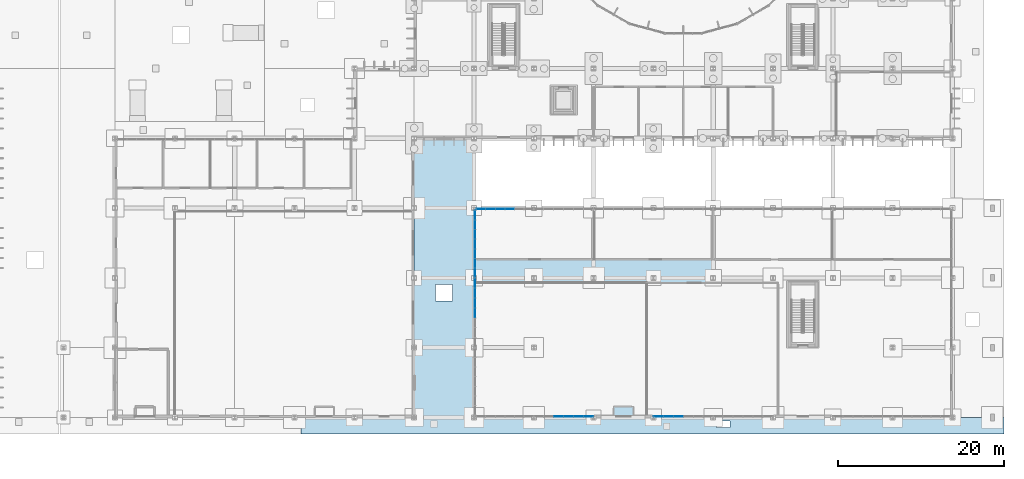
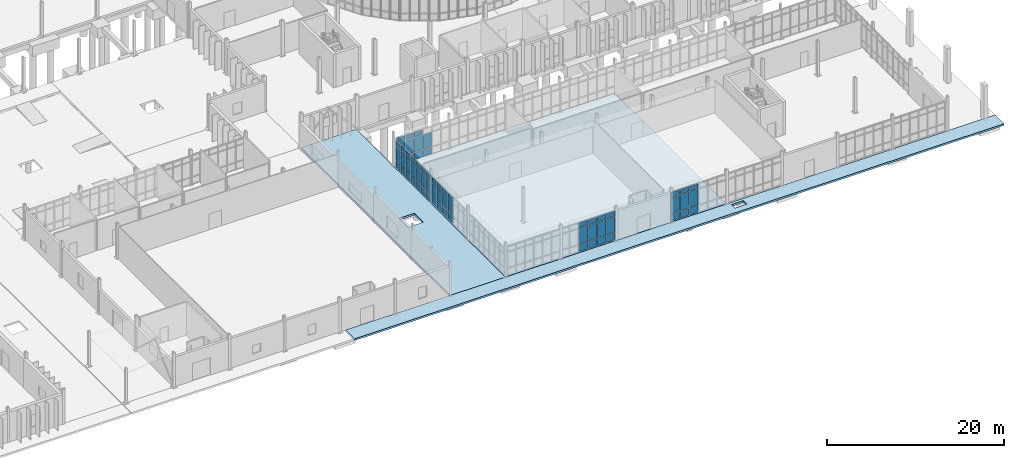
# One storey, part 55 of 118: 65 plates, 3 slabs, 5 elements without a shape of their own.
"""IFC4 building model written with IfcOpenShell, lengths in metres."""

from ifc_helpers import new_model, si_unit, direction, frame, origin, origin_2d, place, context, subcontext, project, spatial, polyline, rectangle, outline, extrude, material, layer, layer_set, type_object, element, aggregate, save


model = new_model("IFC4")

# Units and contexts
model_context = context("Model", 3, precision=1e-05, world=origin(), true_north=direction((0.0, 1.0)))
body_context = subcontext(model_context, "Body", "Model", "MODEL_VIEW")
ifc_project = project(units=[si_unit("LENGTHUNIT", "METRE"), si_unit("AREAUNIT", "SQUARE_METRE"), si_unit("VOLUMEUNIT", "CUBIC_METRE"), si_unit("PLANEANGLEUNIT", "RADIAN"), si_unit("MASSUNIT", "GRAM", prefix="KILO")], contexts=[model_context])

# Site, building, storey
site_placement = place(None, origin())
site = spatial("IfcSite", under=ifc_project, at=site_placement, CompositionType="ELEMENT")
building_placement = place(site_placement, origin())
building = spatial("IfcBuilding", under=site, at=building_placement, Name="Qelthora Terrace Specialist Clinic", CompositionType="ELEMENT")
storey_placement = place(building_placement, origin())
storey = spatial("IfcBuildingStorey", under=building, at=storey_placement, Name="L00", CompositionType="ELEMENT", Elevation=0.0)

# Curtain wall, plates
ifc_material_1 = material(Name="Aluminium anodized bronze", Category="aluminium")
curtain_wall_type_1 = type_object("IfcCurtainWallType", Name="CW-CONS-X", PredefinedType="NOTDEFINED", material=ifc_material_1)
curtain_wall_1_placement = place(storey_placement, origin())
curtain_wall_1 = element("IfcCurtainWall", 1, at=curtain_wall_1_placement, inside=storey, type_object=curtain_wall_type_1, Name="Curtain wall CW-L00-206", PredefinedType="NOTDEFINED")
ifc_material_2 = material(Name="Low-E triple-silver insulating glass", Category="glass")
ifc_layer_1 = layer(ifc_material_2, 0.035888671875)
ifc_layer_set_1 = layer_set([ifc_layer_1], Name="Low-E triple-silver insulating glass")
plate_type = type_object("IfcPlateType", Name="CWP-IGU-36", PredefinedType="CURTAIN_PANEL", material=ifc_layer_set_1)
plate_1_placement = place(storey_placement, frame((111.0, 0.1201171875, 0.0849609375), z_axis=(0.0, 0.0, 1.0), x_axis=(1.0, 0.0, 0.0)))
plate_1 = element("IfcPlate", 2, at=plate_1_placement, type_object=plate_type, Name="CW-L00-206 glazed panel 7", PredefinedType="CURTAIN_PANEL", context=body_context, shape_type="SweptSolid", body=[
    extrude(rectangle(XDim=1.10009765625, YDim=0.035888671875, at=origin_2d()), origin(), (0.0, 0.0, 1.0), 0.919921875),
])
plate_2_placement = place(storey_placement, frame((111.0, 0.1201171875, 1.094970703125), z_axis=(0.0, 0.0, 1.0), x_axis=(1.0, 0.0, 0.0)))
plate_2 = element("IfcPlate", 3, at=plate_2_placement, type_object=plate_type, Name="CW-L00-206 glazed panel 8", PredefinedType="CURTAIN_PANEL", context=body_context, shape_type="SweptSolid", body=[
    extrude(rectangle(XDim=1.10009765625, YDim=0.035888671875, at=origin_2d()), origin(), (0.0, 0.0, 1.0), 2.14208984375),
])
plate_3_placement = place(storey_placement, frame((111.0, 0.1201171875, 3.3271484375), z_axis=(0.0, 0.0, 1.0), x_axis=(1.0, 0.0, 0.0)))
plate_3 = element("IfcPlate", 4, at=plate_3_placement, type_object=plate_type, Name="CW-L00-206 glazed panel 9", PredefinedType="CURTAIN_PANEL", context=body_context, shape_type="SweptSolid", body=[
    extrude(rectangle(XDim=1.10009765625, YDim=0.035888671875, at=origin_2d()), origin(), (0.0, 0.0, 1.0), 0.669921875),
])
plate_4_placement = place(storey_placement, frame((112.199951171875, 0.1201171875, 0.0849609375), z_axis=(0.0, 0.0, 1.0), x_axis=(1.0, 0.0, 0.0)))
plate_4 = element("IfcPlate", 5, at=plate_4_placement, type_object=plate_type, Name="CW-L00-206 glazed panel 10", PredefinedType="CURTAIN_PANEL", context=body_context, shape_type="SweptSolid", body=[
    extrude(rectangle(XDim=1.10009765625, YDim=0.035888671875, at=origin_2d()), origin(), (0.0, 0.0, 1.0), 0.919921875),
])
plate_5_placement = place(storey_placement, frame((112.199951171875, 0.1201171875, 1.094970703125), z_axis=(0.0, 0.0, 1.0), x_axis=(1.0, 0.0, 0.0)))
plate_5 = element("IfcPlate", 6, at=plate_5_placement, type_object=plate_type, Name="CW-L00-206 glazed panel 11", PredefinedType="CURTAIN_PANEL", context=body_context, shape_type="SweptSolid", body=[
    extrude(rectangle(XDim=1.10009765625, YDim=0.035888671875, at=origin_2d()), origin(), (0.0, 0.0, 1.0), 2.14208984375),
])
plate_6_placement = place(storey_placement, frame((112.199951171875, 0.1201171875, 3.3271484375), z_axis=(0.0, 0.0, 1.0), x_axis=(1.0, 0.0, 0.0)))
plate_6 = element("IfcPlate", 7, at=plate_6_placement, type_object=plate_type, Name="CW-L00-206 glazed panel 12", PredefinedType="CURTAIN_PANEL", context=body_context, shape_type="SweptSolid", body=[
    extrude(rectangle(XDim=1.10009765625, YDim=0.035888671875, at=origin_2d()), origin(), (0.0, 0.0, 1.0), 0.669921875),
])
plate_7_placement = place(storey_placement, frame((113.39990234375, 0.1201171875, 0.0849609375), z_axis=(0.0, 0.0, 1.0), x_axis=(1.0, 0.0, 0.0)))
plate_7 = element("IfcPlate", 8, at=plate_7_placement, type_object=plate_type, Name="CW-L00-206 glazed panel 13", PredefinedType="CURTAIN_PANEL", context=body_context, shape_type="SweptSolid", body=[
    extrude(rectangle(XDim=1.10009765625, YDim=0.035888671875, at=origin_2d()), origin(), (0.0, 0.0, 1.0), 0.919921875),
])
plate_8_placement = place(storey_placement, frame((113.39990234375, 0.1201171875, 1.094970703125), z_axis=(0.0, 0.0, 1.0), x_axis=(1.0, 0.0, 0.0)))
plate_8 = element("IfcPlate", 9, at=plate_8_placement, type_object=plate_type, Name="CW-L00-206 glazed panel 14", PredefinedType="CURTAIN_PANEL", context=body_context, shape_type="SweptSolid", body=[
    extrude(rectangle(XDim=1.10009765625, YDim=0.035888671875, at=origin_2d()), origin(), (0.0, 0.0, 1.0), 2.14208984375),
])
plate_9_placement = place(storey_placement, frame((113.39990234375, 0.1201171875, 3.3271484375), z_axis=(0.0, 0.0, 1.0), x_axis=(1.0, 0.0, 0.0)))
plate_9 = element("IfcPlate", 10, at=plate_9_placement, type_object=plate_type, Name="CW-L00-206 glazed panel 15", PredefinedType="CURTAIN_PANEL", context=body_context, shape_type="SweptSolid", body=[
    extrude(rectangle(XDim=1.10009765625, YDim=0.035888671875, at=origin_2d()), origin(), (0.0, 0.0, 1.0), 0.669921875),
])
plate_10_placement = place(storey_placement, frame((114.60009765625, 0.1201171875, 0.0849609375), z_axis=(0.0, 0.0, 1.0), x_axis=(1.0, 0.0, 0.0)))
plate_10 = element("IfcPlate", 11, at=plate_10_placement, type_object=plate_type, Name="CW-L00-206 glazed panel 16", PredefinedType="CURTAIN_PANEL", context=body_context, shape_type="SweptSolid", body=[
    extrude(rectangle(XDim=1.10009765625, YDim=0.035888671875, at=origin_2d()), origin(), (0.0, 0.0, 1.0), 0.919921875),
])
plate_11_placement = place(storey_placement, frame((114.60009765625, 0.1201171875, 1.094970703125), z_axis=(0.0, 0.0, 1.0), x_axis=(1.0, 0.0, 0.0)))
plate_11 = element("IfcPlate", 12, at=plate_11_placement, type_object=plate_type, Name="CW-L00-206 glazed panel 17", PredefinedType="CURTAIN_PANEL", context=body_context, shape_type="SweptSolid", body=[
    extrude(rectangle(XDim=1.10009765625, YDim=0.035888671875, at=origin_2d()), origin(), (0.0, 0.0, 1.0), 2.14208984375),
])
plate_12_placement = place(storey_placement, frame((114.60009765625, 0.1201171875, 3.3271484375), z_axis=(0.0, 0.0, 1.0), x_axis=(1.0, 0.0, 0.0)))
plate_12 = element("IfcPlate", 13, at=plate_12_placement, type_object=plate_type, Name="CW-L00-206 glazed panel 18", PredefinedType="CURTAIN_PANEL", context=body_context, shape_type="SweptSolid", body=[
    extrude(rectangle(XDim=1.10009765625, YDim=0.035888671875, at=origin_2d()), origin(), (0.0, 0.0, 1.0), 0.669921875),
])
aggregate(curtain_wall_1, [plate_1, plate_2, plate_3, plate_4, plate_5, plate_6, plate_7, plate_8, plate_9, plate_10, plate_11, plate_12])

curtain_wall_2_placement = place(storey_placement, origin())
curtain_wall_2 = element("IfcCurtainWall", 14, at=curtain_wall_2_placement, inside=storey, type_object=curtain_wall_type_1, Name="Curtain wall CW-L00-207", PredefinedType="NOTDEFINED")
plate_13_placement = place(storey_placement, frame((123.0, 0.1201171875, 0.0849609375), z_axis=(0.0, 0.0, 1.0), x_axis=(1.0, 0.0, 0.0)))
plate_13 = element("IfcPlate", 15, at=plate_13_placement, type_object=plate_type, Name="CW-L00-207 glazed panel 1", PredefinedType="CURTAIN_PANEL", context=body_context, shape_type="SweptSolid", body=[
    extrude(rectangle(XDim=1.10009765625, YDim=0.035888671875, at=origin_2d()), origin(), (0.0, 0.0, 1.0), 0.919921875),
])
plate_14_placement = place(storey_placement, frame((123.0, 0.1201171875, 1.094970703125), z_axis=(0.0, 0.0, 1.0), x_axis=(1.0, 0.0, 0.0)))
plate_14 = element("IfcPlate", 16, at=plate_14_placement, type_object=plate_type, Name="CW-L00-207 glazed panel 2", PredefinedType="CURTAIN_PANEL", context=body_context, shape_type="SweptSolid", body=[
    extrude(rectangle(XDim=1.10009765625, YDim=0.035888671875, at=origin_2d()), origin(), (0.0, 0.0, 1.0), 2.14208984375),
])
plate_15_placement = place(storey_placement, frame((123.0, 0.1201171875, 3.3271484375), z_axis=(0.0, 0.0, 1.0), x_axis=(1.0, 0.0, 0.0)))
plate_15 = element("IfcPlate", 17, at=plate_15_placement, type_object=plate_type, Name="CW-L00-207 glazed panel 3", PredefinedType="CURTAIN_PANEL", context=body_context, shape_type="SweptSolid", body=[
    extrude(rectangle(XDim=1.10009765625, YDim=0.035888671875, at=origin_2d()), origin(), (0.0, 0.0, 1.0), 0.669921875),
])
plate_16_placement = place(storey_placement, frame((124.199951171875, 0.1201171875, 0.0849609375), z_axis=(0.0, 0.0, 1.0), x_axis=(1.0, 0.0, 0.0)))
plate_16 = element("IfcPlate", 18, at=plate_16_placement, type_object=plate_type, Name="CW-L00-207 glazed panel 4", PredefinedType="CURTAIN_PANEL", context=body_context, shape_type="SweptSolid", body=[
    extrude(rectangle(XDim=1.10009765625, YDim=0.035888671875, at=origin_2d()), origin(), (0.0, 0.0, 1.0), 0.919921875),
])
plate_17_placement = place(storey_placement, frame((124.199951171875, 0.1201171875, 1.094970703125), z_axis=(0.0, 0.0, 1.0), x_axis=(1.0, 0.0, 0.0)))
plate_17 = element("IfcPlate", 19, at=plate_17_placement, type_object=plate_type, Name="CW-L00-207 glazed panel 5", PredefinedType="CURTAIN_PANEL", context=body_context, shape_type="SweptSolid", body=[
    extrude(rectangle(XDim=1.10009765625, YDim=0.035888671875, at=origin_2d()), origin(), (0.0, 0.0, 1.0), 2.14208984375),
])
plate_18_placement = place(storey_placement, frame((124.199951171875, 0.1201171875, 3.3271484375), z_axis=(0.0, 0.0, 1.0), x_axis=(1.0, 0.0, 0.0)))
plate_18 = element("IfcPlate", 20, at=plate_18_placement, type_object=plate_type, Name="CW-L00-207 glazed panel 6", PredefinedType="CURTAIN_PANEL", context=body_context, shape_type="SweptSolid", body=[
    extrude(rectangle(XDim=1.10009765625, YDim=0.035888671875, at=origin_2d()), origin(), (0.0, 0.0, 1.0), 0.669921875),
])
plate_19_placement = place(storey_placement, frame((125.39990234375, 0.1201171875, 0.0849609375), z_axis=(0.0, 0.0, 1.0), x_axis=(1.0, 0.0, 0.0)))
plate_19 = element("IfcPlate", 21, at=plate_19_placement, type_object=plate_type, Name="CW-L00-207 glazed panel 7", PredefinedType="CURTAIN_PANEL", context=body_context, shape_type="SweptSolid", body=[
    extrude(rectangle(XDim=1.10009765625, YDim=0.035888671875, at=origin_2d()), origin(), (0.0, 0.0, 1.0), 0.919921875),
])
plate_20_placement = place(storey_placement, frame((125.39990234375, 0.1201171875, 1.094970703125), z_axis=(0.0, 0.0, 1.0), x_axis=(1.0, 0.0, 0.0)))
plate_20 = element("IfcPlate", 22, at=plate_20_placement, type_object=plate_type, Name="CW-L00-207 glazed panel 8", PredefinedType="CURTAIN_PANEL", context=body_context, shape_type="SweptSolid", body=[
    extrude(rectangle(XDim=1.10009765625, YDim=0.035888671875, at=origin_2d()), origin(), (0.0, 0.0, 1.0), 2.14208984375),
])
plate_21_placement = place(storey_placement, frame((125.39990234375, 0.1201171875, 3.3271484375), z_axis=(0.0, 0.0, 1.0), x_axis=(1.0, 0.0, 0.0)))
plate_21 = element("IfcPlate", 23, at=plate_21_placement, type_object=plate_type, Name="CW-L00-207 glazed panel 9", PredefinedType="CURTAIN_PANEL", context=body_context, shape_type="SweptSolid", body=[
    extrude(rectangle(XDim=1.10009765625, YDim=0.035888671875, at=origin_2d()), origin(), (0.0, 0.0, 1.0), 0.669921875),
])
aggregate(curtain_wall_2, [plate_13, plate_14, plate_15, plate_16, plate_17, plate_18, plate_19, plate_20, plate_21])

curtain_wall_type_2 = type_object("IfcCurtainWallType", Name="CW-CONS-Y", PredefinedType="NOTDEFINED", material=ifc_material_1)
curtain_wall_3_placement = place(storey_placement, origin())
curtain_wall_3 = element("IfcCurtainWall", 24, at=curtain_wall_3_placement, inside=storey, type_object=curtain_wall_type_2, Name="Curtain wall CW-L00-212", PredefinedType="NOTDEFINED")
plate_22_placement = place(storey_placement, frame((100.919921875, 12.60009765625, 0.0849609375), z_axis=(0.0, 0.0, 1.0), x_axis=(0.0, 1.0, 0.0)))
plate_22 = element("IfcPlate", 25, at=plate_22_placement, type_object=plate_type, Name="CW-L00-212 glazed panel 10", PredefinedType="CURTAIN_PANEL", context=body_context, shape_type="SweptSolid", body=[
    extrude(rectangle(XDim=1.10009765625, YDim=0.035888671875, at=origin_2d()), origin(), (0.0, 0.0, 1.0), 0.919921875),
])
plate_23_placement = place(storey_placement, frame((100.919921875, 12.60009765625, 1.094970703125), z_axis=(0.0, 0.0, 1.0), x_axis=(0.0, 1.0, 0.0)))
plate_23 = element("IfcPlate", 26, at=plate_23_placement, type_object=plate_type, Name="CW-L00-212 glazed panel 11", PredefinedType="CURTAIN_PANEL", context=body_context, shape_type="SweptSolid", body=[
    extrude(rectangle(XDim=1.10009765625, YDim=0.035888671875, at=origin_2d()), origin(), (0.0, 0.0, 1.0), 1.7509765625),
])
plate_24_placement = place(storey_placement, frame((100.919921875, 12.60009765625, 2.93603515625), z_axis=(0.0, 0.0, 1.0), x_axis=(0.0, 1.0, 0.0)))
plate_24 = element("IfcPlate", 27, at=plate_24_placement, type_object=plate_type, Name="CW-L00-212 glazed panel 12", PredefinedType="CURTAIN_PANEL", context=body_context, shape_type="SweptSolid", body=[
    extrude(rectangle(XDim=1.10009765625, YDim=0.035888671875, at=origin_2d()), origin(), (0.0, 0.0, 1.0), 0.669921875),
])
plate_25_placement = place(storey_placement, frame((100.919921875, 13.800048828125, 0.0849609375), z_axis=(0.0, 0.0, 1.0), x_axis=(0.0, 1.0, 0.0)))
plate_25 = element("IfcPlate", 28, at=plate_25_placement, type_object=plate_type, Name="CW-L00-212 glazed panel 13", PredefinedType="CURTAIN_PANEL", context=body_context, shape_type="SweptSolid", body=[
    extrude(rectangle(XDim=1.10009765625, YDim=0.035888671875, at=origin_2d()), origin(), (0.0, 0.0, 1.0), 0.919921875),
])
plate_26_placement = place(storey_placement, frame((100.919921875, 13.800048828125, 1.094970703125), z_axis=(0.0, 0.0, 1.0), x_axis=(0.0, 1.0, 0.0)))
plate_26 = element("IfcPlate", 29, at=plate_26_placement, type_object=plate_type, Name="CW-L00-212 glazed panel 14", PredefinedType="CURTAIN_PANEL", context=body_context, shape_type="SweptSolid", body=[
    extrude(rectangle(XDim=1.10009765625, YDim=0.035888671875, at=origin_2d()), origin(), (0.0, 0.0, 1.0), 1.7509765625),
])
plate_27_placement = place(storey_placement, frame((100.919921875, 13.800048828125, 2.93603515625), z_axis=(0.0, 0.0, 1.0), x_axis=(0.0, 1.0, 0.0)))
plate_27 = element("IfcPlate", 30, at=plate_27_placement, type_object=plate_type, Name="CW-L00-212 glazed panel 15", PredefinedType="CURTAIN_PANEL", context=body_context, shape_type="SweptSolid", body=[
    extrude(rectangle(XDim=1.10009765625, YDim=0.035888671875, at=origin_2d()), origin(), (0.0, 0.0, 1.0), 0.669921875),
])
plate_28_placement = place(storey_placement, frame((100.919921875, 15.0, 0.0849609375), z_axis=(0.0, 0.0, 1.0), x_axis=(0.0, 1.0, 0.0)))
plate_28 = element("IfcPlate", 31, at=plate_28_placement, type_object=plate_type, Name="CW-L00-212 glazed panel 16", PredefinedType="CURTAIN_PANEL", context=body_context, shape_type="SweptSolid", body=[
    extrude(rectangle(XDim=1.10009765625, YDim=0.035888671875, at=origin_2d()), origin(), (0.0, 0.0, 1.0), 0.919921875),
])
plate_29_placement = place(storey_placement, frame((100.919921875, 15.0, 1.094970703125), z_axis=(0.0, 0.0, 1.0), x_axis=(0.0, 1.0, 0.0)))
plate_29 = element("IfcPlate", 32, at=plate_29_placement, type_object=plate_type, Name="CW-L00-212 glazed panel 17", PredefinedType="CURTAIN_PANEL", context=body_context, shape_type="SweptSolid", body=[
    extrude(rectangle(XDim=1.10009765625, YDim=0.035888671875, at=origin_2d()), origin(), (0.0, 0.0, 1.0), 1.7509765625),
])
plate_30_placement = place(storey_placement, frame((100.919921875, 15.0, 2.93603515625), z_axis=(0.0, 0.0, 1.0), x_axis=(0.0, 1.0, 0.0)))
plate_30 = element("IfcPlate", 33, at=plate_30_placement, type_object=plate_type, Name="CW-L00-212 glazed panel 18", PredefinedType="CURTAIN_PANEL", context=body_context, shape_type="SweptSolid", body=[
    extrude(rectangle(XDim=1.10009765625, YDim=0.035888671875, at=origin_2d()), origin(), (0.0, 0.0, 1.0), 0.669921875),
])
plate_31_placement = place(storey_placement, frame((100.919921875, 16.199951171875, 0.0849609375), z_axis=(0.0, 0.0, 1.0), x_axis=(0.0, 1.0, 0.0)))
plate_31 = element("IfcPlate", 34, at=plate_31_placement, type_object=plate_type, Name="CW-L00-212 glazed panel 19", PredefinedType="CURTAIN_PANEL", context=body_context, shape_type="SweptSolid", body=[
    extrude(rectangle(XDim=1.10009765625, YDim=0.035888671875, at=origin_2d()), origin(), (0.0, 0.0, 1.0), 0.919921875),
])
plate_32_placement = place(storey_placement, frame((100.919921875, 16.199951171875, 1.094970703125), z_axis=(0.0, 0.0, 1.0), x_axis=(0.0, 1.0, 0.0)))
plate_32 = element("IfcPlate", 35, at=plate_32_placement, type_object=plate_type, Name="CW-L00-212 glazed panel 20", PredefinedType="CURTAIN_PANEL", context=body_context, shape_type="SweptSolid", body=[
    extrude(rectangle(XDim=1.10009765625, YDim=0.035888671875, at=origin_2d()), origin(), (0.0, 0.0, 1.0), 1.7509765625),
])
plate_33_placement = place(storey_placement, frame((100.919921875, 16.199951171875, 2.93603515625), z_axis=(0.0, 0.0, 1.0), x_axis=(0.0, 1.0, 0.0)))
plate_33 = element("IfcPlate", 36, at=plate_33_placement, type_object=plate_type, Name="CW-L00-212 glazed panel 21", PredefinedType="CURTAIN_PANEL", context=body_context, shape_type="SweptSolid", body=[
    extrude(rectangle(XDim=1.10009765625, YDim=0.035888671875, at=origin_2d()), origin(), (0.0, 0.0, 1.0), 0.669921875),
])
aggregate(curtain_wall_3, [plate_22, plate_23, plate_24, plate_25, plate_26, plate_27, plate_28, plate_29, plate_30, plate_31, plate_32, plate_33])

curtain_wall_4_placement = place(storey_placement, origin())
curtain_wall_4 = element("IfcCurtainWall", 37, at=curtain_wall_4_placement, inside=storey, type_object=curtain_wall_type_2, Name="Curtain wall CW-L00-213", PredefinedType="NOTDEFINED")
plate_34_placement = place(storey_placement, frame((100.919921875, 17.38134765625, 0.0849609375), z_axis=(0.0, 0.0, 1.0), x_axis=(0.0, 1.0, 0.0)))
plate_34 = element("IfcPlate", 38, at=plate_34_placement, type_object=plate_type, Name="CW-L00-213 glazed panel 1", PredefinedType="CURTAIN_PANEL", context=body_context, shape_type="SweptSolid", body=[
    extrude(rectangle(XDim=1.062744140625, YDim=0.035888671875, at=origin_2d()), origin(), (0.0, 0.0, 1.0), 0.919921875),
])
plate_35_placement = place(storey_placement, frame((100.919921875, 17.38134765625, 1.094970703125), z_axis=(0.0, 0.0, 1.0), x_axis=(0.0, 1.0, 0.0)))
plate_35 = element("IfcPlate", 39, at=plate_35_placement, type_object=plate_type, Name="CW-L00-213 glazed panel 2", PredefinedType="CURTAIN_PANEL", context=body_context, shape_type="SweptSolid", body=[
    extrude(rectangle(XDim=1.062744140625, YDim=0.035888671875, at=origin_2d()), origin(), (0.0, 0.0, 1.0), 1.83203125),
])
plate_36_placement = place(storey_placement, frame((100.919921875, 17.38134765625, 3.01708984375), z_axis=(0.0, 0.0, 1.0), x_axis=(0.0, 1.0, 0.0)))
plate_36 = element("IfcPlate", 40, at=plate_36_placement, type_object=plate_type, Name="CW-L00-213 glazed panel 3", PredefinedType="CURTAIN_PANEL", context=body_context, shape_type="SweptSolid", body=[
    extrude(rectangle(XDim=1.062744140625, YDim=0.035888671875, at=origin_2d()), origin(), (0.0, 0.0, 1.0), 0.669921875),
])
plate_37_placement = place(storey_placement, frame((100.919921875, 18.544189453125, 0.0849609375), z_axis=(0.0, 0.0, 1.0), x_axis=(0.0, 1.0, 0.0)))
plate_37 = element("IfcPlate", 41, at=plate_37_placement, type_object=plate_type, Name="CW-L00-213 glazed panel 4", PredefinedType="CURTAIN_PANEL", context=body_context, shape_type="SweptSolid", body=[
    extrude(rectangle(XDim=1.062744140625, YDim=0.035888671875, at=origin_2d()), origin(), (0.0, 0.0, 1.0), 0.919921875),
])
plate_38_placement = place(storey_placement, frame((100.919921875, 18.544189453125, 1.094970703125), z_axis=(0.0, 0.0, 1.0), x_axis=(0.0, 1.0, 0.0)))
plate_38 = element("IfcPlate", 42, at=plate_38_placement, type_object=plate_type, Name="CW-L00-213 glazed panel 5", PredefinedType="CURTAIN_PANEL", context=body_context, shape_type="SweptSolid", body=[
    extrude(rectangle(XDim=1.062744140625, YDim=0.035888671875, at=origin_2d()), origin(), (0.0, 0.0, 1.0), 1.83203125),
])
plate_39_placement = place(storey_placement, frame((100.919921875, 18.544189453125, 3.01708984375), z_axis=(0.0, 0.0, 1.0), x_axis=(0.0, 1.0, 0.0)))
plate_39 = element("IfcPlate", 43, at=plate_39_placement, type_object=plate_type, Name="CW-L00-213 glazed panel 6", PredefinedType="CURTAIN_PANEL", context=body_context, shape_type="SweptSolid", body=[
    extrude(rectangle(XDim=1.062744140625, YDim=0.035888671875, at=origin_2d()), origin(), (0.0, 0.0, 1.0), 0.669921875),
])
plate_40_placement = place(storey_placement, frame((100.919921875, 19.70703125, 0.0849609375), z_axis=(0.0, 0.0, 1.0), x_axis=(0.0, 1.0, 0.0)))
plate_40 = element("IfcPlate", 44, at=plate_40_placement, type_object=plate_type, Name="CW-L00-213 glazed panel 7", PredefinedType="CURTAIN_PANEL", context=body_context, shape_type="SweptSolid", body=[
    extrude(rectangle(XDim=1.062744140625, YDim=0.035888671875, at=origin_2d()), origin(), (0.0, 0.0, 1.0), 0.919921875),
])
plate_41_placement = place(storey_placement, frame((100.919921875, 19.70703125, 1.094970703125), z_axis=(0.0, 0.0, 1.0), x_axis=(0.0, 1.0, 0.0)))
plate_41 = element("IfcPlate", 45, at=plate_41_placement, type_object=plate_type, Name="CW-L00-213 glazed panel 8", PredefinedType="CURTAIN_PANEL", context=body_context, shape_type="SweptSolid", body=[
    extrude(rectangle(XDim=1.062744140625, YDim=0.035888671875, at=origin_2d()), origin(), (0.0, 0.0, 1.0), 1.83203125),
])
plate_42_placement = place(storey_placement, frame((100.919921875, 19.70703125, 3.01708984375), z_axis=(0.0, 0.0, 1.0), x_axis=(0.0, 1.0, 0.0)))
plate_42 = element("IfcPlate", 46, at=plate_42_placement, type_object=plate_type, Name="CW-L00-213 glazed panel 9", PredefinedType="CURTAIN_PANEL", context=body_context, shape_type="SweptSolid", body=[
    extrude(rectangle(XDim=1.062744140625, YDim=0.035888671875, at=origin_2d()), origin(), (0.0, 0.0, 1.0), 0.669921875),
])
plate_43_placement = place(storey_placement, frame((100.919921875, 20.8701171875, 0.0849609375), z_axis=(0.0, 0.0, 1.0), x_axis=(0.0, 1.0, 0.0)))
plate_43 = element("IfcPlate", 47, at=plate_43_placement, type_object=plate_type, Name="CW-L00-213 glazed panel 10", PredefinedType="CURTAIN_PANEL", context=body_context, shape_type="SweptSolid", body=[
    extrude(rectangle(XDim=1.062744140625, YDim=0.035888671875, at=origin_2d()), origin(), (0.0, 0.0, 1.0), 0.919921875),
])
plate_44_placement = place(storey_placement, frame((100.919921875, 20.8701171875, 1.094970703125), z_axis=(0.0, 0.0, 1.0), x_axis=(0.0, 1.0, 0.0)))
plate_44 = element("IfcPlate", 48, at=plate_44_placement, type_object=plate_type, Name="CW-L00-213 glazed panel 11", PredefinedType="CURTAIN_PANEL", context=body_context, shape_type="SweptSolid", body=[
    extrude(rectangle(XDim=1.062744140625, YDim=0.035888671875, at=origin_2d()), origin(), (0.0, 0.0, 1.0), 1.83203125),
])
plate_45_placement = place(storey_placement, frame((100.919921875, 20.8701171875, 3.01708984375), z_axis=(0.0, 0.0, 1.0), x_axis=(0.0, 1.0, 0.0)))
plate_45 = element("IfcPlate", 49, at=plate_45_placement, type_object=plate_type, Name="CW-L00-213 glazed panel 12", PredefinedType="CURTAIN_PANEL", context=body_context, shape_type="SweptSolid", body=[
    extrude(rectangle(XDim=1.062744140625, YDim=0.035888671875, at=origin_2d()), origin(), (0.0, 0.0, 1.0), 0.669921875),
])
plate_46_placement = place(storey_placement, frame((100.919921875, 22.032958984375, 0.0849609375), z_axis=(0.0, 0.0, 1.0), x_axis=(0.0, 1.0, 0.0)))
plate_46 = element("IfcPlate", 50, at=plate_46_placement, type_object=plate_type, Name="CW-L00-213 glazed panel 13", PredefinedType="CURTAIN_PANEL", context=body_context, shape_type="SweptSolid", body=[
    extrude(rectangle(XDim=1.062744140625, YDim=0.035888671875, at=origin_2d()), origin(), (0.0, 0.0, 1.0), 0.919921875),
])
plate_47_placement = place(storey_placement, frame((100.919921875, 22.032958984375, 1.094970703125), z_axis=(0.0, 0.0, 1.0), x_axis=(0.0, 1.0, 0.0)))
plate_47 = element("IfcPlate", 51, at=plate_47_placement, type_object=plate_type, Name="CW-L00-213 glazed panel 14", PredefinedType="CURTAIN_PANEL", context=body_context, shape_type="SweptSolid", body=[
    extrude(rectangle(XDim=1.062744140625, YDim=0.035888671875, at=origin_2d()), origin(), (0.0, 0.0, 1.0), 1.83203125),
])
plate_48_placement = place(storey_placement, frame((100.919921875, 22.032958984375, 3.01708984375), z_axis=(0.0, 0.0, 1.0), x_axis=(0.0, 1.0, 0.0)))
plate_48 = element("IfcPlate", 52, at=plate_48_placement, type_object=plate_type, Name="CW-L00-213 glazed panel 15", PredefinedType="CURTAIN_PANEL", context=body_context, shape_type="SweptSolid", body=[
    extrude(rectangle(XDim=1.062744140625, YDim=0.035888671875, at=origin_2d()), origin(), (0.0, 0.0, 1.0), 0.669921875),
])
plate_49_placement = place(storey_placement, frame((100.919921875, 23.19580078125, 0.0849609375), z_axis=(0.0, 0.0, 1.0), x_axis=(0.0, 1.0, 0.0)))
plate_49 = element("IfcPlate", 53, at=plate_49_placement, type_object=plate_type, Name="CW-L00-213 glazed panel 16", PredefinedType="CURTAIN_PANEL", context=body_context, shape_type="SweptSolid", body=[
    extrude(rectangle(XDim=1.062744140625, YDim=0.035888671875, at=origin_2d()), origin(), (0.0, 0.0, 1.0), 0.919921875),
])
plate_50_placement = place(storey_placement, frame((100.919921875, 23.19580078125, 1.094970703125), z_axis=(0.0, 0.0, 1.0), x_axis=(0.0, 1.0, 0.0)))
plate_50 = element("IfcPlate", 54, at=plate_50_placement, type_object=plate_type, Name="CW-L00-213 glazed panel 17", PredefinedType="CURTAIN_PANEL", context=body_context, shape_type="SweptSolid", body=[
    extrude(rectangle(XDim=1.062744140625, YDim=0.035888671875, at=origin_2d()), origin(), (0.0, 0.0, 1.0), 1.83203125),
])
plate_51_placement = place(storey_placement, frame((100.919921875, 23.19580078125, 3.01708984375), z_axis=(0.0, 0.0, 1.0), x_axis=(0.0, 1.0, 0.0)))
plate_51 = element("IfcPlate", 55, at=plate_51_placement, type_object=plate_type, Name="CW-L00-213 glazed panel 18", PredefinedType="CURTAIN_PANEL", context=body_context, shape_type="SweptSolid", body=[
    extrude(rectangle(XDim=1.062744140625, YDim=0.035888671875, at=origin_2d()), origin(), (0.0, 0.0, 1.0), 0.669921875),
])
plate_52_placement = place(storey_placement, frame((100.919921875, 24.358642578125, 0.0849609375), z_axis=(0.0, 0.0, 1.0), x_axis=(0.0, 1.0, 0.0)))
plate_52 = element("IfcPlate", 56, at=plate_52_placement, type_object=plate_type, Name="CW-L00-213 glazed panel 19", PredefinedType="CURTAIN_PANEL", context=body_context, shape_type="SweptSolid", body=[
    extrude(rectangle(XDim=1.062744140625, YDim=0.035888671875, at=origin_2d()), origin(), (0.0, 0.0, 1.0), 0.919921875),
])
plate_53_placement = place(storey_placement, frame((100.919921875, 24.358642578125, 1.094970703125), z_axis=(0.0, 0.0, 1.0), x_axis=(0.0, 1.0, 0.0)))
plate_53 = element("IfcPlate", 57, at=plate_53_placement, type_object=plate_type, Name="CW-L00-213 glazed panel 20", PredefinedType="CURTAIN_PANEL", context=body_context, shape_type="SweptSolid", body=[
    extrude(rectangle(XDim=1.062744140625, YDim=0.035888671875, at=origin_2d()), origin(), (0.0, 0.0, 1.0), 1.83203125),
])
plate_54_placement = place(storey_placement, frame((100.919921875, 24.358642578125, 3.01708984375), z_axis=(0.0, 0.0, 1.0), x_axis=(0.0, 1.0, 0.0)))
plate_54 = element("IfcPlate", 58, at=plate_54_placement, type_object=plate_type, Name="CW-L00-213 glazed panel 21", PredefinedType="CURTAIN_PANEL", context=body_context, shape_type="SweptSolid", body=[
    extrude(rectangle(XDim=1.062744140625, YDim=0.035888671875, at=origin_2d()), origin(), (0.0, 0.0, 1.0), 0.669921875),
])
aggregate(curtain_wall_4, [plate_34, plate_35, plate_36, plate_37, plate_38, plate_39, plate_40, plate_41, plate_42, plate_43, plate_44, plate_45, plate_46, plate_47, plate_48, plate_49, plate_50, plate_51, plate_52, plate_53, plate_54])

curtain_wall_5_placement = place(storey_placement, origin())
curtain_wall_5 = element("IfcCurtainWall", 59, at=curtain_wall_5_placement, inside=storey, type_object=curtain_wall_type_1, Name="Curtain wall CW-L00-214", PredefinedType="NOTDEFINED")
plate_55_placement = place(storey_placement, frame((101.638427734375, 25.080078125, 0.0849609375), z_axis=(0.0, 0.0, 1.0), x_axis=(1.0, 0.0, 0.0)))
plate_55 = element("IfcPlate", 60, at=plate_55_placement, type_object=plate_type, Name="CW-L00-214 glazed panel 1", PredefinedType="CURTAIN_PANEL", context=body_context, shape_type="SweptSolid", body=[
    extrude(rectangle(XDim=1.056640625, YDim=0.035888671875, at=origin_2d()), origin(), (0.0, 0.0, 1.0), 0.919921875),
])
plate_56_placement = place(storey_placement, frame((101.638427734375, 25.080078125, 1.0947265625), z_axis=(0.0, 0.0, 1.0), x_axis=(1.0, 0.0, 0.0)))
plate_56 = element("IfcPlate", 61, at=plate_56_placement, type_object=plate_type, Name="CW-L00-214 glazed panel 2", PredefinedType="CURTAIN_PANEL", context=body_context, shape_type="SweptSolid", body=[
    extrude(rectangle(XDim=1.056640625, YDim=0.035888671875, at=origin_2d()), origin(), (0.0, 0.0, 1.0), 1.985107421875),
])
plate_57_placement = place(storey_placement, frame((101.638427734375, 25.080078125, 3.169921875), z_axis=(0.0, 0.0, 1.0), x_axis=(1.0, 0.0, 0.0)))
plate_57 = element("IfcPlate", 62, at=plate_57_placement, type_object=plate_type, Name="CW-L00-214 glazed panel 3", PredefinedType="CURTAIN_PANEL", context=body_context, shape_type="SweptSolid", body=[
    extrude(rectangle(XDim=1.056640625, YDim=0.035888671875, at=origin_2d()), origin(), (0.0, 0.0, 1.0), 0.669921875),
])
plate_58_placement = place(storey_placement, frame((102.794921875, 25.080078125, 0.0849609375), z_axis=(0.0, 0.0, 1.0), x_axis=(1.0, 0.0, 0.0)))
plate_58 = element("IfcPlate", 63, at=plate_58_placement, type_object=plate_type, Name="CW-L00-214 glazed panel 4", PredefinedType="CURTAIN_PANEL", context=body_context, shape_type="SweptSolid", body=[
    extrude(rectangle(XDim=1.056640625, YDim=0.035888671875, at=origin_2d()), origin(), (0.0, 0.0, 1.0), 0.919921875),
])
plate_59_placement = place(storey_placement, frame((102.794921875, 25.080078125, 1.0947265625), z_axis=(0.0, 0.0, 1.0), x_axis=(1.0, 0.0, 0.0)))
plate_59 = element("IfcPlate", 64, at=plate_59_placement, type_object=plate_type, Name="CW-L00-214 glazed panel 5", PredefinedType="CURTAIN_PANEL", context=body_context, shape_type="SweptSolid", body=[
    extrude(rectangle(XDim=1.056640625, YDim=0.035888671875, at=origin_2d()), origin(), (0.0, 0.0, 1.0), 1.985107421875),
])
plate_60_placement = place(storey_placement, frame((102.794921875, 25.080078125, 3.169921875), z_axis=(0.0, 0.0, 1.0), x_axis=(1.0, 0.0, 0.0)))
plate_60 = element("IfcPlate", 65, at=plate_60_placement, type_object=plate_type, Name="CW-L00-214 glazed panel 6", PredefinedType="CURTAIN_PANEL", context=body_context, shape_type="SweptSolid", body=[
    extrude(rectangle(XDim=1.056640625, YDim=0.035888671875, at=origin_2d()), origin(), (0.0, 0.0, 1.0), 0.669921875),
])
plate_61_placement = place(storey_placement, frame((103.95166015625, 25.080078125, 0.0849609375), z_axis=(0.0, 0.0, 1.0), x_axis=(1.0, 0.0, 0.0)))
plate_61 = element("IfcPlate", 66, at=plate_61_placement, type_object=plate_type, Name="CW-L00-214 glazed panel 7", PredefinedType="CURTAIN_PANEL", context=body_context, shape_type="SweptSolid", body=[
    extrude(rectangle(XDim=1.056640625, YDim=0.035888671875, at=origin_2d()), origin(), (0.0, 0.0, 1.0), 0.919921875),
])
plate_62_placement = place(storey_placement, frame((103.95166015625, 25.080078125, 1.0947265625), z_axis=(0.0, 0.0, 1.0), x_axis=(1.0, 0.0, 0.0)))
plate_62 = element("IfcPlate", 67, at=plate_62_placement, type_object=plate_type, Name="CW-L00-214 glazed panel 8", PredefinedType="CURTAIN_PANEL", context=body_context, shape_type="SweptSolid", body=[
    extrude(rectangle(XDim=1.056640625, YDim=0.035888671875, at=origin_2d()), origin(), (0.0, 0.0, 1.0), 1.985107421875),
])
plate_63_placement = place(storey_placement, frame((103.95166015625, 25.080078125, 3.169921875), z_axis=(0.0, 0.0, 1.0), x_axis=(1.0, 0.0, 0.0)))
plate_63 = element("IfcPlate", 68, at=plate_63_placement, type_object=plate_type, Name="CW-L00-214 glazed panel 9", PredefinedType="CURTAIN_PANEL", context=body_context, shape_type="SweptSolid", body=[
    extrude(rectangle(XDim=1.056640625, YDim=0.035888671875, at=origin_2d()), origin(), (0.0, 0.0, 1.0), 0.669921875),
])
plate_64_placement = place(storey_placement, frame((105.1083984375, 25.080078125, 0.0849609375), z_axis=(0.0, 0.0, 1.0), x_axis=(1.0, 0.0, 0.0)))
plate_64 = element("IfcPlate", 69, at=plate_64_placement, type_object=plate_type, Name="CW-L00-214 glazed panel 10", PredefinedType="CURTAIN_PANEL", context=body_context, shape_type="SweptSolid", body=[
    extrude(rectangle(XDim=1.056640625, YDim=0.035888671875, at=origin_2d()), origin(), (0.0, 0.0, 1.0), 0.919921875),
])
plate_65_placement = place(storey_placement, frame((105.1083984375, 25.080078125, 1.0947265625), z_axis=(0.0, 0.0, 1.0), x_axis=(1.0, 0.0, 0.0)))
plate_65 = element("IfcPlate", 70, at=plate_65_placement, type_object=plate_type, Name="CW-L00-214 glazed panel 11", PredefinedType="CURTAIN_PANEL", context=body_context, shape_type="SweptSolid", body=[
    extrude(rectangle(XDim=1.056640625, YDim=0.035888671875, at=origin_2d()), origin(), (0.0, 0.0, 1.0), 1.985107421875),
])
aggregate(curtain_wall_5, [plate_55, plate_56, plate_57, plate_58, plate_59, plate_60, plate_61, plate_62, plate_63, plate_64, plate_65])

# Slabs
ifc_material_3 = material(Name="Concrete C30/37", Category="concrete")
ifc_layer_2 = layer(ifc_material_3, 0.260009765625)
ifc_layer_set_2 = layer_set([ifc_layer_2], Name="Concrete C30/37")
slab_type_1 = type_object("IfcSlabType", Name="SLB-BASE-260-C30", PredefinedType="BASESLAB", material=ifc_layer_set_2)
slab_1_placement = place(storey_placement, frame((0.0, 0.0, -0.260009765625)))
element("IfcSlab", 71, at=slab_1_placement, inside=storey, type_object=slab_type_1, Name="L00 V3 slab SLB-L00-V3A", PredefinedType="BASESLAB", context=body_context, shape_type="SweptSolid", body=[
    extrude(outline(polyline([(100.800048828125, 25.199951171875), (129.60009765625, 25.199951171875), (129.60009765625, 0.0), (100.800048828125, 0.0), (100.800048828125, 25.199951171875)])), origin(), (0.0, 0.0, 1.0), 0.260009765625),
])
ifc_layer_3 = layer(ifc_material_3, 0.25)
ifc_layer_set_3 = layer_set([ifc_layer_3], Name="Concrete C30/37")
slab_type_2 = type_object("IfcSlabType", Name="SLB-TERR-250-C30", PredefinedType="FLOOR", material=ifc_layer_set_3)
slab_2_placement = place(storey_placement, frame((0.0, 0.0, -0.25)))
element("IfcSlab", 72, at=slab_2_placement, inside=storey, type_object=slab_type_2, Name="L00 V1 slab SLB-L00-LINK", PredefinedType="FLOOR", context=body_context, shape_type="SweptSolid", body=[
    extrude(outline(polyline([(93.60009765625, 0.0), (93.60009765625, 33.60009765625), (100.800048828125, 33.60009765625), (100.800048828125, 0.0), (93.60009765625, 0.0)]), holes=[polyline([(96.199951171875, 14.0), (98.199951171875, 14.0), (98.199951171875, 16.0), (96.199951171875, 16.0), (96.199951171875, 14.0)])]), origin(), (0.0, 0.0, 1.0), 0.25),
])
slab_3_placement = place(storey_placement, frame((0.0, 0.0, -0.25)))
element("IfcSlab", 73, at=slab_3_placement, inside=storey, type_object=slab_type_2, Name="L00 V1 slab SLB-L00-EXTS2", PredefinedType="FLOOR", context=body_context, shape_type="SweptSolid", body=[
    extrude(outline(polyline([(80.0, -2.0), (80.0, 0.0), (164.60009765625, 0.0), (164.60009765625, -2.0), (80.0, -2.0)]), holes=[polyline([(130.0, -1.199951171875), (131.60009765625, -1.199951171875), (131.60009765625, -0.39990234375), (130.0, -0.39990234375), (130.0, -1.199951171875)])]), origin(), (0.0, 0.0, 1.0), 0.25),
])

save(model, "model.ifc")
